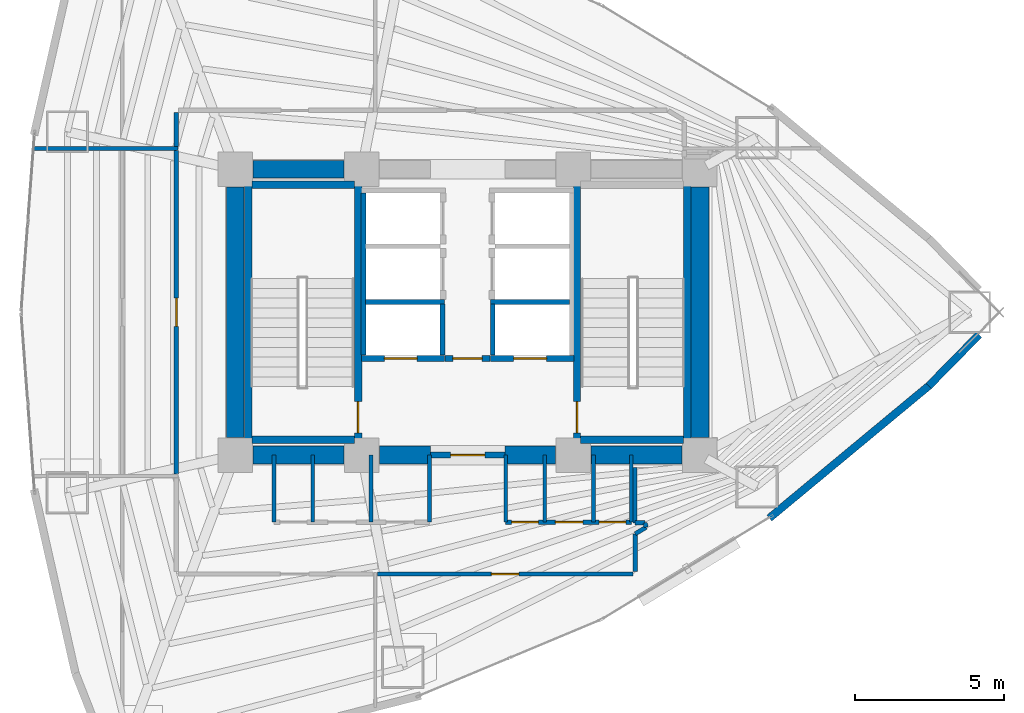
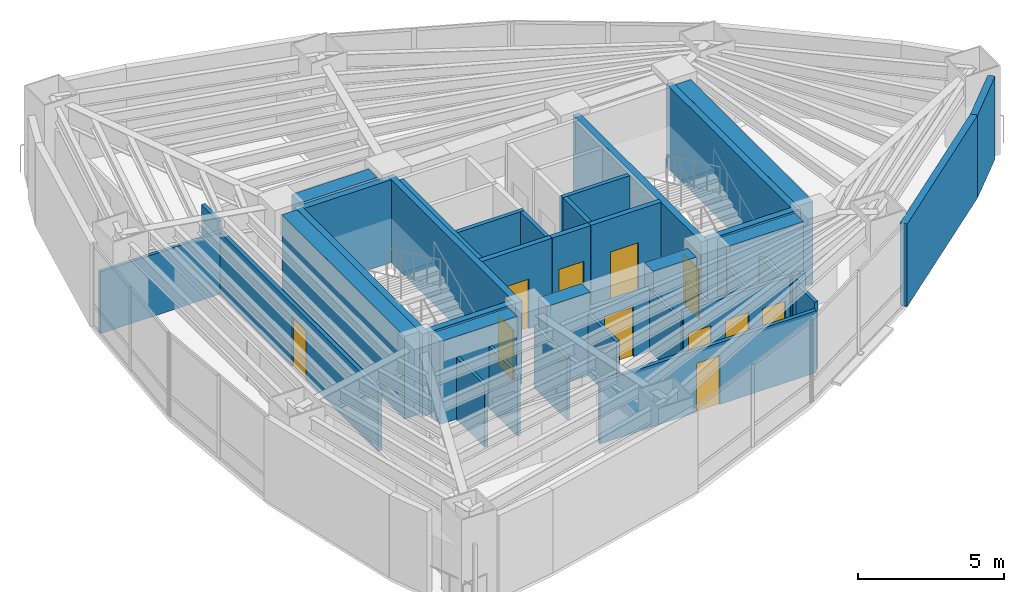
# One storey, part 14 of 17: 43 walls, 11 doors, 11 openings.
"""IFC4 building model written with IfcOpenShell, lengths in metres."""

import ifcopenshell
import ifcopenshell.guid

model = None  # the IFC model being written
_history = None  # IfcOwnerHistory: only IFC2X3 demands one
_inside = {}  # id of a spatial element -> (the spatial element, [elements in it])
_under = {}  # id of a project, library or spatial element -> (it, [spatial elements below it])
_declared = {}  # id of a project -> (the project, [libraries it declares])
_typed = {}  # id of a type object -> (the type object, [elements of that type])
_made_of = {}  # id of a material, layer set ... -> (it, [elements and type objects made of it])


def new_model(schema):
    """Start an empty IFC model of exactly this schema.

    Asked for "IFC4X3", IfcOpenShell would pick the latest addendum, in which some entities
    have other attributes; the version numbers below select the first issue.
    IFC2X3 requires an IfcOwnerHistory on every rooted entity: one is made here for all.
    """
    global model, _history
    if schema == "IFC4X3":
        model = ifcopenshell.file(schema_version=(4, 3, 0, 0))
    else:
        model = ifcopenshell.file(schema=schema)
    _inside.clear()
    _under.clear()
    _declared.clear()
    _typed.clear()
    _made_of.clear()
    _history = None
    if model.schema == "IFC2X3":
        org = make("IfcOrganization", Name="unknown")
        user = make(
            "IfcPersonAndOrganization",
            ThePerson=make("IfcPerson", FamilyName="unknown"),
            TheOrganization=org,
        )
        app = make(
            "IfcApplication",
            ApplicationDeveloper=org,
            Version="unknown",
            ApplicationFullName="unknown",
            ApplicationIdentifier="unknown",
        )
        _history = make(
            "IfcOwnerHistory",
            OwningUser=user,
            OwningApplication=app,
            ChangeAction="ADDED",
            CreationDate=0,
        )
    return model


def make(cls, **values):
    """One entity of the class cls with the attributes given. An attribute that is None is left unset."""
    return model.create_entity(
        cls, **{name: value for name, value in values.items() if value is not None}
    )


def rooted(cls, **values):
    """An entity with a GlobalId (a new one), such as an element, a storey or a relation."""
    return make(cls, GlobalId=ifcopenshell.guid.new(), OwnerHistory=_history, **values)


def si_unit(unit_type, name, prefix=None):
    """IfcSIUnit, for example si_unit("LENGTHUNIT", "METRE", prefix="MILLI")."""
    return make("IfcSIUnit", UnitType=unit_type, Prefix=prefix, Name=name)


def assignment(units):
    """IfcUnitAssignment: the units of a project."""
    return None if units is None else make("IfcUnitAssignment", Units=units)


def point(xyz):
    """IfcCartesianPoint."""
    return None if xyz is None else make("IfcCartesianPoint", Coordinates=xyz)


def direction(xyz):
    """IfcDirection."""
    return None if xyz is None else make("IfcDirection", DirectionRatios=xyz)


def frame(location, z_axis=None, x_axis=None):
    """IfcAxis2Placement3D, a coordinate frame: its origin and axes. An axis left out is left unset."""
    return make(
        "IfcAxis2Placement3D",
        Location=point(location),
        Axis=direction(z_axis),
        RefDirection=direction(x_axis),
    )


def frame_2d(location, x_axis=None):
    """IfcAxis2Placement2D, a coordinate frame in the plane: its origin and x axis."""
    return make(
        "IfcAxis2Placement2D", Location=point(location), RefDirection=direction(x_axis)
    )


def origin():
    """The frame at (0, 0, 0) with its axes left unset."""
    return frame((0.0, 0.0, 0.0))


def place(relative_to, where):
    """IfcLocalPlacement: puts the frame where relative to a parent placement (None: the world)."""
    return make(
        "IfcLocalPlacement", PlacementRelTo=relative_to, RelativePlacement=where
    )


def context(
    kind, dimensions, precision=None, world=None, true_north=None, identifier=None
):
    """IfcGeometricRepresentationContext, for example the 3D "Model" context."""
    return make(
        "IfcGeometricRepresentationContext",
        ContextIdentifier=identifier,
        ContextType=kind,
        CoordinateSpaceDimension=dimensions,
        Precision=precision,
        WorldCoordinateSystem=world,
        TrueNorth=true_north,
    )


def subcontext(parent, identifier, kind, view, scale=None):
    """IfcGeometricRepresentationSubContext, for example "Body" below "Model"."""
    return make(
        "IfcGeometricRepresentationSubContext",
        ContextIdentifier=identifier,
        ContextType=kind,
        ParentContext=parent,
        TargetScale=scale,
        TargetView=view,
    )


def project(units=None, contexts=None):
    """IfcProject with its units and contexts."""
    return rooted(
        "IfcProject",
        Name="project",
        RepresentationContexts=contexts,
        UnitsInContext=assignment(units),
    )


def spatial(cls, under=None, at=None, **own):
    """A site, building, storey or space (cls), placed at a placement, below another one or the project."""
    s = rooted(cls, ObjectPlacement=at, **own)
    if under is not None:
        _under.setdefault(under.id(), (under, []))[1].append(s)
    return s


def profile(cls, at=None, kind="AREA", **sizes):
    """A parametric profile (cls). Its sizes go by their IFC names, for example OverallWidth=200.0."""
    return make(cls, ProfileType=kind, Position=at, **sizes)


def rectangle(**sizes):
    """IfcRectangleProfileDef."""
    return profile("IfcRectangleProfileDef", **sizes)


def extrude(swept, where, along, depth):
    """IfcExtrudedAreaSolid: the profile swept, set in the frame where, extruded along a direction by depth."""
    return make(
        "IfcExtrudedAreaSolid",
        SweptArea=swept,
        Position=where,
        ExtrudedDirection=direction(along),
        Depth=depth,
    )


def shape(context_of_items, identifier, shape_type, items):
    """IfcShapeRepresentation: the items that make up one representation, for example the "Body"."""
    return make(
        "IfcShapeRepresentation",
        ContextOfItems=context_of_items,
        RepresentationIdentifier=identifier,
        RepresentationType=shape_type,
        Items=items,
    )


def material(Name=None, Category=None):
    """IfcMaterial."""
    return make("IfcMaterial", Name=Name, Category=Category)


def layer(
    of_material, thickness, ventilated=None, Name=None, Category=None, Priority=None
):
    """IfcMaterialLayer: one layer of a wall or slab, of a material (None: an air gap)."""
    return make(
        "IfcMaterialLayer",
        Material=of_material,
        LayerThickness=thickness,
        IsVentilated=ventilated,
        Name=Name,
        Category=Category,
        Priority=Priority,
    )


def layer_set(layers, Name=None):
    """IfcMaterialLayerSet."""
    return make("IfcMaterialLayerSet", MaterialLayers=layers, LayerSetName=Name)


def made_of(thing, what):
    """Note that an element or type object is made of a material, layer set ...; save() writes the relation."""
    if what is not None:
        _made_of.setdefault(what.id(), (what, []))[1].append(thing)
    return thing


def type_object(cls, material=None, **own):
    """A type object (cls), such as IfcWallType, which elements share."""
    return made_of(rooted(cls, **own), material)


def element(
    cls,
    number,
    at=None,
    inside=None,
    cuts=None,
    type_object=None,
    material=None,
    context=None,
    identifier="Body",
    shape_type=None,
    held_by="IfcProductDefinitionShape",
    body=None,
    shapes=None,
    **own,
):
    """One element of the class cls, such as IfcWall. Its Tag is "e" and its number.

    at: its placement. inside: the storey or other place that contains it. cuts: it is an
    opening in that element (IfcRelVoidsElement). A single representation is given by context,
    identifier, shape_type and body (its items); several are given by shapes. held_by: the class
    of the entity that holds the representations. save() writes the other relations.
    """
    e = rooted(cls, Tag="e%d" % number, ObjectPlacement=at, **own)
    if body is not None:
        shapes = [shape(context, identifier, shape_type, body)]
    if shapes is not None:
        e.Representation = make(held_by, Representations=shapes)
    if inside is not None:
        _inside.setdefault(inside.id(), (inside, []))[1].append(e)
    if cuts is not None:
        rooted(
            "IfcRelVoidsElement", RelatingBuildingElement=cuts, RelatedOpeningElement=e
        )
    if type_object is not None:
        _typed.setdefault(type_object.id(), (type_object, []))[1].append(e)
    return made_of(e, material)


def fill(opening, filler):
    """IfcRelFillsElement: the door or window that sits in an opening."""
    return rooted(
        "IfcRelFillsElement",
        RelatingOpeningElement=opening,
        RelatedBuildingElement=filler,
    )


def aggregate(whole, parts):
    """IfcRelAggregates: a whole, such as a stair, and the parts it consists of."""
    return rooted("IfcRelAggregates", RelatingObject=whole, RelatedObjects=parts)


def save(model, path):
    """Write the relations noted so far, then the file.

    IfcRelAggregates (storeys below a building ...), IfcRelContainedInSpatialStructure (elements
    in a storey), IfcRelDefinesByType, IfcRelAssociatesMaterial and IfcRelDeclares: one each for
    every whole, place, type object, material and project.
    """
    for whole, parts in _under.values():
        aggregate(whole, parts)
    for where, things in _inside.values():
        rooted(
            "IfcRelContainedInSpatialStructure",
            RelatedElements=things,
            RelatingStructure=where,
        )
    for kind, things in _typed.values():
        rooted("IfcRelDefinesByType", RelatedObjects=things, RelatingType=kind)
    for what, things in _made_of.values():
        rooted("IfcRelAssociatesMaterial", RelatedObjects=things, RelatingMaterial=what)
    for by, libraries in _declared.values():
        rooted("IfcRelDeclares", RelatingContext=by, RelatedDefinitions=libraries)
    model.write(path)


model = new_model("IFC4")

# Units and contexts
model_context = context("Model", 3, precision=1e-05, world=origin(), true_north=direction((0.0, 1.0)))
body_context = subcontext(model_context, "Body", "Model", "MODEL_VIEW")
ifc_project = project(units=[si_unit("LENGTHUNIT", "METRE"), si_unit("AREAUNIT", "SQUARE_METRE"), si_unit("VOLUMEUNIT", "CUBIC_METRE"), si_unit("PLANEANGLEUNIT", "RADIAN"), si_unit("MASSUNIT", "GRAM", prefix="KILO")], contexts=[model_context])

# Site, building, storey
site_placement = place(None, origin())
site = spatial("IfcSite", under=ifc_project, at=site_placement, CompositionType="ELEMENT")
building_placement = place(site_placement, origin())
building = spatial("IfcBuilding", under=site, at=building_placement, Name="Menara Vayukalpa", CompositionType="ELEMENT")
storey_placement = place(building_placement, frame((0.0, 0.0, 38.760009765625)))
storey = spatial("IfcBuildingStorey", under=building, at=storey_placement, Name="L08", CompositionType="ELEMENT", Elevation=38.760009765625)

# Walls
ifc_material_1 = material(Name="Concrete C70/85", Category="concrete")
ifc_layer_1 = layer(ifc_material_1, 0.60009765625)
ifc_layer_set_1 = layer_set([ifc_layer_1], Name="Concrete C70/85")
wall_type_1 = type_object("IfcWallType", Name="WAL-CW600", PredefinedType="SHEAR", material=ifc_layer_set_1)
wall_1_placement = place(storey_placement, frame((18.39501953125, 17.199951171875, 0.0), z_axis=(0.0, 0.0, 1.0), x_axis=(1.0, 0.0, 0.0)))
element("IfcWall", 1, at=wall_1_placement, inside=storey, type_object=wall_type_1, Name="L08 Buttressed Core Shear Wall CWS1", PredefinedType="SHEAR", context=body_context, shape_type="SweptSolid", body=[
    extrude(rectangle(XDim=3.06005859375, YDim=0.60009765625, at=frame_2d((1.530029296875, 0.0))), origin(), (0.0, 0.0, 1.0), 3.469970703125),
])
wall_2_placement = place(storey_placement, frame((22.64501953125, 17.199951171875, 0.0), z_axis=(0.0, 0.0, 1.0), x_axis=(1.0, 0.0, 0.0)))
element("IfcWall", 2, at=wall_2_placement, inside=storey, type_object=wall_type_1, Name="L08 Buttressed Core Shear Wall CWS2", PredefinedType="SHEAR", context=body_context, shape_type="SweptSolid", body=[
    extrude(rectangle(XDim=1.705078125, YDim=0.60009765625, at=frame_2d((0.8525390625, 0.0))), origin(), (0.0, 0.0, 1.0), 3.469970703125),
])
wall_3_placement = place(storey_placement, frame((26.85009765625, 17.199951171875, 0.0), z_axis=(0.0, 0.0, 1.0), x_axis=(1.0, 0.0, 0.0)))
element("IfcWall", 3, at=wall_3_placement, inside=storey, type_object=wall_type_1, Name="L08 Buttressed Core Shear Wall CWS3", PredefinedType="SHEAR", context=body_context, shape_type="SweptSolid", body=[
    extrude(rectangle(XDim=1.704833984375, YDim=0.60009765625, at=frame_2d((0.8525390625, 0.0))), origin(), (0.0, 0.0, 1.0), 3.469970703125),
])
wall_4_placement = place(storey_placement, frame((29.7451171875, 17.199951171875, 0.0), z_axis=(0.0, 0.0, 1.0), x_axis=(1.0, 0.0, 0.0)))
element("IfcWall", 4, at=wall_4_placement, inside=storey, type_object=wall_type_1, Name="L08 Buttressed Core Shear Wall CWS4", PredefinedType="SHEAR", context=body_context, shape_type="SweptSolid", body=[
    extrude(rectangle(XDim=3.059814453125, YDim=0.60009765625, at=frame_2d((1.52978515625, 0.0))), origin(), (0.0, 0.0, 1.0), 3.469970703125),
])
wall_5_placement = place(storey_placement, frame((18.39501953125, 26.800048828125, 0.0), z_axis=(0.0, 0.0, 1.0), x_axis=(1.0, 0.0, 0.0)))
element("IfcWall", 5, at=wall_5_placement, inside=storey, type_object=wall_type_1, Name="L08 Buttressed Core Shear Wall CWN1", PredefinedType="SHEAR", context=body_context, shape_type="SweptSolid", body=[
    extrude(rectangle(XDim=3.06005859375, YDim=0.60009765625, at=frame_2d((1.530029296875, 0.0))), origin(), (0.0, 0.0, 1.0), 3.469970703125),
])
for number, where, z_axis, x_axis, name in (
    (6, (17.800048828125, 17.794921875, 0.0), (0.0, 0.0, 1.0), (0.0, 1.0, 0.0), "L08 Buttressed Core Shear Wall CWW1"),
    (7, (33.39990234375, 17.794921875, 0.0), (0.0, 0.0, 1.0), (0.0, 1.0, 0.0), "L08 Buttressed Core Shear Wall CWE1"),
):
    element("IfcWall", number, at=place(storey_placement, frame(where, z_axis=z_axis, x_axis=x_axis)), inside=storey, type_object=wall_type_1, Name=name, PredefinedType="SHEAR", context=body_context, shape_type="SweptSolid", body=[
        extrude(rectangle(XDim=8.41015625, YDim=0.60009765625, at=frame_2d((4.205078125, 0.0))), origin(), (0.0, 0.0, 1.0), 3.469970703125),
    ])
ifc_material_2 = material(Name="Insulated Precast Concrete C40/50", Category="concrete")
ifc_layer_2 = layer(ifc_material_2, 0.260009765625)
ifc_layer_set_2 = layer_set([ifc_layer_2], Name="Insulated Precast Concrete C40/50")
wall_type_2 = type_object("IfcWallType", Name="WAL-EXT260", PredefinedType="PARTITIONING", material=ifc_layer_set_2)
wall_6_placement = place(storey_placement, frame((42.770263671875, 21.24169921875, 0.0), z_axis=(0.0, 0.0, 1.0), x_axis=(-0.70059851419, -0.713555689427, 0.0)))
element("IfcWall", 8, at=wall_6_placement, inside=storey, type_object=wall_type_2, Name="L08 Perimeter Terracotta Pier Wall 01", PredefinedType="PARTITIONING", context=body_context, shape_type="SweptSolid", body=[
    extrude(rectangle(XDim=2.411865234375, YDim=0.260009765625, at=frame_2d((1.2060546875, 0.0))), origin(), (0.0, 0.0, 1.0), 3.469970703125),
])
wall_7_placement = place(storey_placement, frame((41.08935546875, 19.52880859375, 0.0), z_axis=(0.0, 0.0, 1.0), x_axis=(-0.769754596928, -0.638339925517, 0.0)))
element("IfcWall", 9, at=wall_7_placement, inside=storey, type_object=wall_type_2, Name="L08 Perimeter Terracotta Pier Wall 18", PredefinedType="PARTITIONING", context=body_context, shape_type="SweptSolid", body=[
    extrude(rectangle(XDim=6.959228515625, YDim=0.260009765625, at=frame_2d((3.4794921875, 0.0))), origin(), (0.0, 0.0, 1.0), 3.469970703125),
])
ifc_material_3 = material(Name="Lightweight Concrete Blockwork C16/20", Category="masonry")
ifc_layer_3 = layer(ifc_material_3, 0.159912109375)
ifc_layer_set_3 = layer_set([ifc_layer_3], Name="Lightweight Concrete Blockwork C16/20")
wall_type_3 = type_object("IfcWallType", Name="WAL-FR150", PredefinedType="PARTITIONING", material=ifc_layer_set_3)
wall_8_placement = place(storey_placement, frame((22.10498046875, 20.56005859375, 0.0), z_axis=(0.0, 0.0, 1.0), x_axis=(0.0, 1.0, 0.0)))
element("IfcWall", 10, at=wall_8_placement, inside=storey, type_object=wall_type_3, Name="L08 Interior Partition IW-L08-SHW-WW", PredefinedType="PARTITIONING", context=body_context, shape_type="SweptSolid", body=[
    extrude(rectangle(XDim=5.449951171875, YDim=0.159912109375, at=frame_2d((2.72509765625, 0.0))), origin(), (0.0, 0.0, 1.0), 3.469970703125),
])
wall_9_placement = place(storey_placement, frame((24.7548828125, 20.56005859375, 0.0), z_axis=(0.0, 0.0, 1.0), x_axis=(0.0, 1.0, 0.0)))
element("IfcWall", 11, at=wall_9_placement, inside=storey, type_object=wall_type_3, Name="L08 Interior Partition IW-L08-SHW-W1E", PredefinedType="PARTITIONING", context=body_context, shape_type="SweptSolid", body=[
    extrude(rectangle(XDim=1.7099609375, YDim=0.159912109375, at=frame_2d((0.85498046875, 0.0))), origin(), (0.0, 0.0, 1.0), 3.469970703125),
])
wall_10_placement = place(storey_placement, frame((22.179931640625, 22.344970703125, 0.0), z_axis=(0.0, 0.0, 1.0), x_axis=(1.0, 0.0, 0.0)))
element("IfcWall", 12, at=wall_10_placement, inside=storey, type_object=wall_type_3, Name="L08 Interior Partition IW-L08-SHM-W12", PredefinedType="PARTITIONING", context=body_context, shape_type="SweptSolid", body=[
    extrude(rectangle(XDim=2.650146484375, YDim=0.159912109375, at=frame_2d((1.3251953125, 0.0))), origin(), (0.0, 0.0, 1.0), 3.469970703125),
])
wall_11_placement = place(storey_placement, frame((26.445068359375, 20.56005859375, 0.0), z_axis=(0.0, 0.0, 1.0), x_axis=(0.0, 1.0, 0.0)))
element("IfcWall", 13, at=wall_11_placement, inside=storey, type_object=wall_type_3, Name="L08 Interior Partition IW-L08-SHW-E1W", PredefinedType="PARTITIONING", context=body_context, shape_type="SweptSolid", body=[
    extrude(rectangle(XDim=1.7099609375, YDim=0.159912109375, at=frame_2d((0.85498046875, 0.0))), origin(), (0.0, 0.0, 1.0), 3.469970703125),
])
wall_12_placement = place(storey_placement, frame((26.3701171875, 22.344970703125, 0.0), z_axis=(0.0, 0.0, 1.0), x_axis=(1.0, 0.0, 0.0)))
element("IfcWall", 14, at=wall_12_placement, inside=storey, type_object=wall_type_3, Name="L08 Interior Partition IW-L08-SHM-E13", PredefinedType="PARTITIONING", context=body_context, shape_type="SweptSolid", body=[
    extrude(rectangle(XDim=2.64990234375, YDim=0.159912109375, at=frame_2d((1.324951171875, 0.0))), origin(), (0.0, 0.0, 1.0), 3.469970703125),
])

# Wall, opening, door
ifc_material_4 = material(Name="Lightweight Concrete Blockwork C16/20", Category="masonry")
ifc_layer_4 = layer(ifc_material_4, 0.199951171875)
ifc_layer_set_4 = layer_set([ifc_layer_4], Name="Lightweight Concrete Blockwork C16/20")
wall_type_4 = type_object("IfcWallType", Name="WAL-FR200", PredefinedType="PARTITIONING", material=ifc_layer_set_4)
wall_13_placement = place(storey_placement, frame((24.35009765625, 17.199951171875, 0.0), z_axis=(0.0, 0.0, 1.0), x_axis=(1.0, 0.0, 0.0)))
wall_13 = element("IfcWall", 15, at=wall_13_placement, inside=storey, type_object=wall_type_4, Name="L08 Interior Partition IW-L08-FFLS", PredefinedType="PARTITIONING", context=body_context, shape_type="SweptSolid", body=[
    extrude(rectangle(XDim=2.5, YDim=0.199951171875, at=frame_2d((1.25, 0.0))), origin(), (0.0, 0.0, 1.0), 2.60009765625),
])
opening_1_placement = place(wall_13_placement, frame((0.679931640625, 0.0, 0.0)))
opening_1 = element("IfcOpeningElement", 16, at=opening_1_placement, cuts=wall_13, Name="Opening ID2", PredefinedType="OPENING", context=body_context, shape_type="SweptSolid", body=[
    extrude(rectangle(XDim=1.14990234375, YDim=2.080078125, at=frame_2d((0.574951171875, 1.0400390625))), frame((0.0, 0.10986328125, 0.0), z_axis=(0.0, -1.0, 0.0), x_axis=(1.0, 0.0, 0.0)), (0.0, 0.0, 1.0), 0.219970703125),
])
ifc_material_5 = material(Name="Fire-Rated Powder-Coated Steel Door", Category="steel")
door_type_1 = type_object("IfcDoorType", Name="DR-FD60W", OperationType="NOTDEFINED", PredefinedType="DOOR", material=ifc_material_5)
door_1_placement = place(opening_1_placement, origin())
door_1 = element("IfcDoor", 17, at=door_1_placement, inside=storey, type_object=door_type_1, Name="L08 Interior Door DR-L08-FFLS", OperationType="SINGLE_SWING_LEFT", OverallHeight=2.080078125, OverallWidth=1.14990234375, PredefinedType="DOOR", context=body_context, shape_type="SweptSolid", body=[
    extrude(rectangle(XDim=1.14990234375, YDim=2.080078125, at=frame_2d((0.574951171875, 1.0400390625))), frame((0.0, 0.02490234375, 0.0), z_axis=(0.0, -1.0, 0.0), x_axis=(1.0, 0.0, 0.0)), (0.0, 0.0, 1.0), 0.050048828125),
])
fill(opening_1, door_1)

wall_14_placement = place(storey_placement, frame((24.840087890625, 20.449951171875, 0.0), z_axis=(0.0, 0.0, 1.0), x_axis=(1.0, 0.0, 0.0)))
wall_14 = element("IfcWall", 18, at=wall_14_placement, inside=storey, type_object=wall_type_4, Name="L08 Interior Partition IW-L08-FFLN", PredefinedType="PARTITIONING", context=body_context, shape_type="SweptSolid", body=[
    extrude(rectangle(XDim=1.52001953125, YDim=0.199951171875, at=frame_2d((0.760009765625, 0.0))), origin(), (0.0, 0.0, 1.0), 3.469970703125),
])
opening_2_placement = place(wall_14_placement, frame((0.27001953125, 0.0, 0.0)))
opening_2 = element("IfcOpeningElement", 19, at=opening_2_placement, cuts=wall_14, Name="Opening ID3", PredefinedType="OPENING", context=body_context, shape_type="SweptSolid", body=[
    extrude(rectangle(XDim=0.97998046875, YDim=2.06005859375, at=frame_2d((0.489990234375, 1.030029296875))), frame((0.0, 0.10986328125, 0.0), z_axis=(0.0, -1.0, 0.0), x_axis=(1.0, 0.0, 0.0)), (0.0, 0.0, 1.0), 0.219970703125),
])
ifc_material_6 = material(Name="Fire-Rated Powder-Coated Steel Door", Category="steel")
door_type_2 = type_object("IfcDoorType", Name="DR-FD60", OperationType="NOTDEFINED", PredefinedType="DOOR", material=ifc_material_6)
door_2_placement = place(opening_2_placement, origin())
door_2 = element("IfcDoor", 20, at=door_2_placement, inside=storey, type_object=door_type_2, Name="L08 Interior Door DR-L08-FFLN", OperationType="SINGLE_SWING_RIGHT", OverallHeight=2.06005859375, OverallWidth=0.97998046875, PredefinedType="DOOR", context=body_context, shape_type="SweptSolid", body=[
    extrude(rectangle(XDim=0.97998046875, YDim=2.06005859375, at=frame_2d((0.489990234375, 1.030029296875))), frame((0.0, 0.02490234375, 0.0), z_axis=(0.0, -1.0, 0.0), x_axis=(1.0, 0.0, 0.0)), (0.0, 0.0, 1.0), 0.050048828125),
])
fill(opening_2, door_2)

wall_15_placement = place(storey_placement, frame((22.030029296875, 20.449951171875, 0.0), z_axis=(0.0, 0.0, 1.0), x_axis=(1.0, 0.0, 0.0)))
wall_15 = element("IfcWall", 21, at=wall_15_placement, inside=storey, type_object=wall_type_4, Name="L08 Interior Partition IW-L08-SH-W1", PredefinedType="PARTITIONING", context=body_context, shape_type="SweptSolid", body=[
    extrude(rectangle(XDim=2.800048828125, YDim=0.199951171875, at=frame_2d((1.39990234375, 0.0))), origin(), (0.0, 0.0, 1.0), 3.469970703125),
])
opening_3_placement = place(wall_15_placement, frame((0.780029296875, 0.0, 0.0)))
opening_3 = element("IfcOpeningElement", 22, at=opening_3_placement, cuts=wall_15, Name="Opening LD1", PredefinedType="OPENING", context=body_context, shape_type="SweptSolid", body=[
    extrude(rectangle(XDim=1.10009765625, YDim=2.080078125, at=frame_2d((0.550048828125, 1.0400390625))), frame((0.0, 0.10986328125, 0.0), z_axis=(0.0, -1.0, 0.0), x_axis=(1.0, 0.0, 0.0)), (0.0, 0.0, 1.0), 0.219970703125),
])
ifc_material_7 = material(Name="Brushed Stainless Steel 316 Lift Door", Category="steel")
door_type_3 = type_object("IfcDoorType", Name="DR-LD110", OperationType="NOTDEFINED", PredefinedType="DOOR", material=ifc_material_7)
door_3_placement = place(opening_3_placement, origin())
door_3 = element("IfcDoor", 23, at=door_3_placement, inside=storey, type_object=door_type_3, Name="L08 Interior Door DR-L08-LD-W1", OperationType="DOUBLE_DOOR_SLIDING", OverallHeight=2.080078125, OverallWidth=1.10009765625, PredefinedType="DOOR", context=body_context, shape_type="SweptSolid", body=[
    extrude(rectangle(XDim=1.10009765625, YDim=2.080078125, at=frame_2d((0.550048828125, 1.0400390625))), frame((0.0, 0.02490234375, 0.0), z_axis=(0.0, -1.0, 0.0), x_axis=(1.0, 0.0, 0.0)), (0.0, 0.0, 1.0), 0.050048828125),
])
fill(opening_3, door_3)

wall_16_placement = place(storey_placement, frame((26.3701171875, 20.449951171875, 0.0), z_axis=(0.0, 0.0, 1.0), x_axis=(1.0, 0.0, 0.0)))
wall_16 = element("IfcWall", 24, at=wall_16_placement, inside=storey, type_object=wall_type_4, Name="L08 Interior Partition IW-L08-SH-E1", PredefinedType="PARTITIONING", context=body_context, shape_type="SweptSolid", body=[
    extrude(rectangle(XDim=2.7998046875, YDim=0.199951171875, at=frame_2d((1.39990234375, 0.0))), origin(), (0.0, 0.0, 1.0), 3.469970703125),
])
opening_4_placement = place(wall_16_placement, frame((0.780029296875, 0.0, 0.0)))
opening_4 = element("IfcOpeningElement", 25, at=opening_4_placement, cuts=wall_16, Name="Opening LD1", PredefinedType="OPENING", context=body_context, shape_type="SweptSolid", body=[
    extrude(rectangle(XDim=1.10009765625, YDim=2.080078125, at=frame_2d((0.550048828125, 1.0400390625))), frame((0.0, 0.10986328125, 0.0), z_axis=(0.0, -1.0, 0.0), x_axis=(1.0, 0.0, 0.0)), (0.0, 0.0, 1.0), 0.219970703125),
])
door_4_placement = place(opening_4_placement, origin())
door_4 = element("IfcDoor", 26, at=door_4_placement, inside=storey, type_object=door_type_3, Name="L08 Interior Door DR-L08-LD-E1", OperationType="DOUBLE_DOOR_SLIDING", OverallHeight=2.080078125, OverallWidth=1.10009765625, PredefinedType="DOOR", context=body_context, shape_type="SweptSolid", body=[
    extrude(rectangle(XDim=1.10009765625, YDim=2.080078125, at=frame_2d((0.550048828125, 1.0400390625))), frame((0.0, 0.02490234375, 0.0), z_axis=(0.0, -1.0, 0.0), x_axis=(1.0, 0.0, 0.0)), (0.0, 0.0, 1.0), 0.050048828125),
])
fill(opening_4, door_4)

# Walls
ifc_material_8 = material(Name="Acoustic Mineral Stud Partition", Category="masonry")
ifc_layer_5 = layer(ifc_material_8, 0.110107421875)
ifc_layer_set_5 = layer_set([ifc_layer_5], Name="Acoustic Mineral Stud Partition")
wall_type_5 = type_object("IfcWallType", Name="WAL-PT110", PredefinedType="PARTITIONING", material=ifc_layer_set_5)
for number, where, z_axis, x_axis, name in (
    (27, (20.39990234375, 14.949951171875, 0.0), (0.0, 0.0, 1.0), (0.0, 1.0, 0.0), "L08 Interior Partition IW-L08-SVCD-02"),
    (28, (26.8798828125, 14.949951171875, 0.0), (0.0, 0.0, 1.0), (0.0, 1.0, 0.0), "L08 Interior Partition IW-L08-SVCD-05"),
    (29, (31.10009765625, 14.949951171875, 0.0), (0.0, 0.0, 1.0), (0.0, 1.0, 0.0), "L08 Interior Partition IW-L08-SVCD-08"),
):
    element("IfcWall", number, at=place(storey_placement, frame(where, z_axis=z_axis, x_axis=x_axis)), inside=storey, type_object=wall_type_5, Name=name, PredefinedType="PARTITIONING", context=body_context, shape_type="SweptSolid", body=[
        extrude(rectangle(XDim=2.25, YDim=0.110107421875, at=frame_2d((1.125, 0.0))), origin(), (0.0, 0.0, 1.0), 2.60009765625),
    ])
ifc_material_9 = material(Name="Gypsum Drywall Steel Stud Assembly", Category="steel")
ifc_layer_6 = layer(ifc_material_9, 0.125)
ifc_layer_set_6 = layer_set([ifc_layer_6], Name="Gypsum Drywall Steel Stud Assembly")
wall_type_6 = type_object("IfcWallType", Name="WAL-PT125", PredefinedType="PARTITIONING", material=ifc_layer_set_6)
for number, where, z_axis, x_axis, name in (
    (30, (19.10009765625, 14.949951171875, 0.0), (0.0, 0.0, 1.0), (0.0, 1.0, 0.0), "L08 Interior Partition IW-L08-SVCD-01"),
    (31, (22.360107421875, 14.949951171875, 0.0), (0.0, 0.0, 1.0), (0.0, 1.0, 0.0), "L08 Interior Partition IW-L08-SVCD-03"),
    (32, (24.320068359375, 14.949951171875, 0.0), (0.0, 0.0, 1.0), (0.0, 1.0, 0.0), "L08 Interior Partition IW-L08-SVCD-04"),
    (33, (28.18994140625, 14.949951171875, 0.0), (0.0, 0.0, 1.0), (0.0, 1.0, 0.0), "L08 Interior Partition IW-L08-SVCD-06"),
    (34, (29.830078125, 14.949951171875, 0.0), (0.0, 0.0, 1.0), (0.0, 1.0, 0.0), "L08 Interior Partition IW-L08-SVCD-07"),
):
    element("IfcWall", number, at=place(storey_placement, frame(where, z_axis=z_axis, x_axis=x_axis)), inside=storey, type_object=wall_type_6, Name=name, PredefinedType="PARTITIONING", context=body_context, shape_type="SweptSolid", body=[
        extrude(rectangle(XDim=2.25, YDim=0.125, at=frame_2d((1.125, 0.0))), origin(), (0.0, 0.0, 1.0), 2.60009765625),
    ])
wall_17_placement = place(storey_placement, frame((11.01220703125, 27.5, 0.0), z_axis=(0.0, 0.0, 1.0), x_axis=(1.0, 0.0, 0.0)))
element("IfcWall", 35, at=wall_17_placement, inside=storey, type_object=wall_type_6, Name="L08 Interior Partition IW-L08-RDIV05", PredefinedType="PARTITIONING", context=body_context, shape_type="SweptSolid", body=[
    extrude(rectangle(XDim=4.85791015625, YDim=0.125, at=frame_2d((2.428955078125, 0.0))), origin(), (0.0, 0.0, 1.0), 2.60009765625),
])

# Wall, openings, doors
ifc_material_10 = material(Name="Gypsum Drywall Acoustic Stud Assembly", Category="masonry")
ifc_layer_7 = layer(ifc_material_10, 0.14501953125)
ifc_layer_set_7 = layer_set([ifc_layer_7], Name="Gypsum Drywall Acoustic Stud Assembly")
wall_type_7 = type_object("IfcWallType", Name="WAL-PT150", PredefinedType="PARTITIONING", material=ifc_layer_set_7)
wall_18_placement = place(storey_placement, frame((26.8798828125, 14.949951171875, 0.0), z_axis=(0.0, 0.0, 1.0), x_axis=(1.0, 0.0, 0.0)))
wall_18 = element("IfcWall", 36, at=wall_18_placement, inside=storey, type_object=wall_type_7, Name="L08 Interior Partition IW-L08-SVCS-E", PredefinedType="PARTITIONING", context=body_context, shape_type="SweptSolid", body=[
    extrude(rectangle(XDim=4.22021484375, YDim=0.14501953125, at=frame_2d((2.110107421875, 0.0))), origin(), (0.0, 0.0, 1.0), 3.0),
])
opening_5_placement = place(wall_18_placement, frame((0.199951171875, 0.0, 0.0)))
opening_5 = element("IfcOpeningElement", 37, at=opening_5_placement, cuts=wall_18, Name="Opening ID7", PredefinedType="OPENING", context=body_context, shape_type="SweptSolid", body=[
    extrude(rectangle(XDim=0.89990234375, YDim=2.02001953125, at=frame_2d((0.449951171875, 1.010009765625))), frame((0.0, 0.08251953125, 0.0), z_axis=(0.0, -1.0, 0.0), x_axis=(1.0, 0.0, 0.0)), (0.0, 0.0, 1.0), 0.1650390625),
])
opening_6_placement = place(wall_18_placement, frame((1.669921875, 0.0, 0.0)))
opening_6 = element("IfcOpeningElement", 38, at=opening_6_placement, cuts=wall_18, Name="Opening ID6", PredefinedType="OPENING", context=body_context, shape_type="SweptSolid", body=[
    extrude(rectangle(XDim=0.919921875, YDim=2.050048828125, at=frame_2d((0.4599609375, 1.02490234375))), frame((0.0, 0.08251953125, 0.0), z_axis=(0.0, -1.0, 0.0), x_axis=(1.0, 0.0, 0.0)), (0.0, 0.0, 1.0), 0.1650390625),
])
opening_7_placement = place(wall_18_placement, frame((3.139892578125, 0.0, 0.0)))
opening_7 = element("IfcOpeningElement", 39, at=opening_7_placement, cuts=wall_18, Name="Opening ID7", PredefinedType="OPENING", context=body_context, shape_type="SweptSolid", body=[
    extrude(rectangle(XDim=0.89990234375, YDim=2.02001953125, at=frame_2d((0.449951171875, 1.010009765625))), frame((0.0, 0.08251953125, 0.0), z_axis=(0.0, -1.0, 0.0), x_axis=(1.0, 0.0, 0.0)), (0.0, 0.0, 1.0), 0.1650390625),
])
ifc_material_11 = material(Name="Acoustic Hardwood Veneer Timber Door", Category="wood")
door_type_4 = type_object("IfcDoorType", Name="DR-INT92", OperationType="NOTDEFINED", PredefinedType="DOOR", material=ifc_material_11)
door_5_placement = place(opening_6_placement, origin())
door_5 = element("IfcDoor", 40, at=door_5_placement, inside=storey, type_object=door_type_4, Name="L08 Interior Door DR-L08-KSV2", OperationType="SINGLE_SWING_LEFT", OverallHeight=2.050048828125, OverallWidth=0.919921875, PredefinedType="DOOR", context=body_context, shape_type="SweptSolid", body=[
    extrude(rectangle(XDim=0.919921875, YDim=2.050048828125, at=frame_2d((0.4599609375, 1.02490234375))), frame((0.0, 0.02490234375, 0.0), z_axis=(0.0, -1.0, 0.0), x_axis=(1.0, 0.0, 0.0)), (0.0, 0.0, 1.0), 0.050048828125),
])
fill(opening_6, door_5)
ifc_material_12 = material(Name="Powder-Coated Steel Riser Access Door", Category="steel")
door_type_5 = type_object("IfcDoorType", Name="DR-RISER", OperationType="NOTDEFINED", PredefinedType="DOOR", material=ifc_material_12)
door_6_placement = place(opening_5_placement, origin())
door_6 = element("IfcDoor", 41, at=door_6_placement, inside=storey, type_object=door_type_5, Name="L08 Interior Door DR-L08-KSV1", OperationType="SINGLE_SWING_RIGHT", OverallHeight=2.02001953125, OverallWidth=0.89990234375, PredefinedType="DOOR", context=body_context, shape_type="SweptSolid", body=[
    extrude(rectangle(XDim=0.89990234375, YDim=2.02001953125, at=frame_2d((0.449951171875, 1.010009765625))), frame((0.0, 0.02490234375, 0.0), z_axis=(0.0, -1.0, 0.0), x_axis=(1.0, 0.0, 0.0)), (0.0, 0.0, 1.0), 0.050048828125),
])
fill(opening_5, door_6)
door_7_placement = place(opening_7_placement, origin())
door_7 = element("IfcDoor", 42, at=door_7_placement, inside=storey, type_object=door_type_5, Name="L08 Interior Door DR-L08-SMD", OperationType="SINGLE_SWING_RIGHT", OverallHeight=2.02001953125, OverallWidth=0.89990234375, PredefinedType="DOOR", context=body_context, shape_type="SweptSolid", body=[
    extrude(rectangle(XDim=0.89990234375, YDim=2.02001953125, at=frame_2d((0.449951171875, 1.010009765625))), frame((0.0, 0.02490234375, 0.0), z_axis=(0.0, -1.0, 0.0), x_axis=(1.0, 0.0, 0.0)), (0.0, 0.0, 1.0), 0.050048828125),
])
fill(opening_7, door_7)

# Wall, opening, door
wall_19_placement = place(storey_placement, frame((22.570068359375, 13.2099609375, 0.0), z_axis=(0.0, 0.0, 1.0), x_axis=(1.0, 0.0, 0.0)))
wall_19 = element("IfcWall", 43, at=wall_19_placement, inside=storey, type_object=wall_type_7, Name="L08 Interior Partition IW-L08-CRM04-1", PredefinedType="PARTITIONING", context=body_context, shape_type="SweptSolid", body=[
    extrude(rectangle(XDim=8.579833984375, YDim=0.14501953125, at=frame_2d((4.2900390625, 0.0))), origin(), (0.0, 0.0, 1.0), 2.60009765625),
])
opening_8_placement = place(wall_19_placement, frame((3.830078125, 0.0, 0.0)))
opening_8 = element("IfcOpeningElement", 44, at=opening_8_placement, cuts=wall_19, Name="Opening ID6", PredefinedType="OPENING", context=body_context, shape_type="SweptSolid", body=[
    extrude(rectangle(XDim=0.919921875, YDim=2.050048828125, at=frame_2d((0.4599609375, 1.02490234375))), frame((0.0, 0.08251953125, 0.0), z_axis=(0.0, -1.0, 0.0), x_axis=(1.0, 0.0, 0.0)), (0.0, 0.0, 1.0), 0.1650390625),
])
door_8_placement = place(opening_8_placement, origin())
door_8 = element("IfcDoor", 45, at=door_8_placement, inside=storey, type_object=door_type_4, Name="L08 Interior Door DR-L08-RM04", OperationType="SINGLE_SWING_RIGHT", OverallHeight=2.050048828125, OverallWidth=0.919921875, PredefinedType="DOOR", context=body_context, shape_type="SweptSolid", body=[
    extrude(rectangle(XDim=0.919921875, YDim=2.050048828125, at=frame_2d((0.4599609375, 1.02490234375))), frame((0.0, 0.02490234375, 0.0), z_axis=(0.0, -1.0, 0.0), x_axis=(1.0, 0.0, 0.0)), (0.0, 0.0, 1.0), 0.050048828125),
])
fill(opening_8, door_8)

# Walls
wall_20_placement = place(storey_placement, frame((31.22998046875, 13.2900390625, 0.0), z_axis=(0.0, 0.0, 1.0), x_axis=(0.0, 1.0, 0.0)))
element("IfcWall", 46, at=wall_20_placement, inside=storey, type_object=wall_type_7, Name="L08 Interior Partition IW-L08-CRM04-2", PredefinedType="PARTITIONING", context=body_context, shape_type="SweptSolid", body=[
    extrude(rectangle(XDim=1.26806640625, YDim=0.14501953125, at=frame_2d((0.634033203125, 0.0))), origin(), (0.0, 0.0, 1.0), 2.85009765625),
])
wall_21_placement = place(storey_placement, frame((31.22998046875, 14.55810546875, 0.0), z_axis=(0.0, 0.0, 1.0), x_axis=(0.854931196424, 0.518741408971, 0.0)))
element("IfcWall", 47, at=wall_21_placement, inside=storey, type_object=wall_type_7, Name="L08 Interior Partition IW-L08-CRM04-3", PredefinedType="PARTITIONING", context=body_context, shape_type="SweptSolid", body=[
    extrude(rectangle(XDim=0.4306640625, YDim=0.14501953125, at=frame_2d((0.21533203125, 0.0))), origin(), (0.0, 0.0, 1.0), 3.0),
])
wall_22_placement = place(storey_placement, frame((31.556640625, 14.929931640625, 0.0), z_axis=(0.0, 0.0, 1.0), x_axis=(-1.0, 0.0, 0.0)))
element("IfcWall", 48, at=wall_22_placement, inside=storey, type_object=wall_type_7, Name="L08 Interior Partition IW-L08-CRM04-4", PredefinedType="PARTITIONING", context=body_context, shape_type="SweptSolid", body=[
    extrude(rectangle(XDim=0.336669921875, YDim=0.14501953125, at=frame_2d((0.16845703125, 0.0))), origin(), (0.0, 0.0, 1.0), 3.0),
])
wall_23_placement = place(storey_placement, frame((31.219970703125, 14.929931640625, 0.0), z_axis=(0.0, 0.0, 1.0), x_axis=(0.0, 1.0, 0.0)))
element("IfcWall", 49, at=wall_23_placement, inside=storey, type_object=wall_type_7, Name="L08 Interior Partition IW-L08-CRM04-5", PredefinedType="PARTITIONING", context=body_context, shape_type="SweptSolid", body=[
    extrude(rectangle(XDim=1.85009765625, YDim=0.14501953125, at=frame_2d((0.925048828125, 0.0))), origin(), (0.0, 0.0, 1.0), 2.60009765625),
])
wall_24_placement = place(storey_placement, frame((15.820068359375, 28.699951171875, 0.0), z_axis=(0.0, 0.0, 1.0), x_axis=(0.0, -1.0, 0.0)))
element("IfcWall", 50, at=wall_24_placement, inside=storey, type_object=wall_type_7, Name="L08 Interior Partition IW-L08-CRM06-2", PredefinedType="PARTITIONING", context=body_context, shape_type="SweptSolid", body=[
    extrude(rectangle(XDim=1.1298828125, YDim=0.14501953125, at=frame_2d((0.56494140625, 0.0))), origin(), (0.0, 0.0, 1.0), 3.0),
])

# Wall, opening, door
wall_25_placement = place(storey_placement, frame((15.820068359375, 27.429931640625, 0.0), z_axis=(0.0, 0.0, 1.0), x_axis=(0.0, -1.0, 0.0)))
wall_25 = element("IfcWall", 51, at=wall_25_placement, inside=storey, type_object=wall_type_7, Name="L08 Interior Partition IW-L08-CRM09-1", PredefinedType="PARTITIONING", context=body_context, shape_type="SweptSolid", body=[
    extrude(rectangle(XDim=10.85986328125, YDim=0.14501953125, at=frame_2d((5.429931640625, 0.0))), origin(), (0.0, 0.0, 1.0), 2.60009765625),
])
opening_9_placement = place(wall_25_placement, frame((4.955078125, 0.0, 0.0)))
opening_9 = element("IfcOpeningElement", 52, at=opening_9_placement, cuts=wall_25, Name="Opening ID5", PredefinedType="OPENING", context=body_context, shape_type="SweptSolid", body=[
    extrude(rectangle(XDim=0.949951171875, YDim=2.06005859375, at=frame_2d((0.47509765625, 1.030029296875))), frame((0.0, 0.08251953125, 0.0), z_axis=(0.0, -1.0, 0.0), x_axis=(1.0, 0.0, 0.0)), (0.0, 0.0, 1.0), 0.1650390625),
])
ifc_material_13 = material(Name="Acoustic Hardwood Veneer Timber Door", Category="wood")
door_type_6 = type_object("IfcDoorType", Name="DR-INT95", OperationType="NOTDEFINED", PredefinedType="DOOR", material=ifc_material_13)
door_9_placement = place(opening_9_placement, origin())
door_9 = element("IfcDoor", 53, at=door_9_placement, inside=storey, type_object=door_type_6, Name="L08 Interior Door DR-L08-RM09", OperationType="SINGLE_SWING_LEFT", OverallHeight=2.06005859375, OverallWidth=0.949951171875, PredefinedType="DOOR", context=body_context, shape_type="SweptSolid", body=[
    extrude(rectangle(XDim=0.949951171875, YDim=2.06005859375, at=frame_2d((0.47509765625, 1.030029296875))), frame((0.0, 0.02490234375, 0.0), z_axis=(0.0, -1.0, 0.0), x_axis=(1.0, 0.0, 0.0)), (0.0, 0.0, 1.0), 0.050048828125),
])
fill(opening_9, door_9)

# Walls
wall_26_placement = place(storey_placement, frame((31.59814453125, 14.781494140625, 0.0), z_axis=(0.0, 0.0, 1.0), x_axis=(-0.269277388617, 0.963062660464, 0.0)))
element("IfcWall", 54, at=wall_26_placement, inside=storey, type_object=wall_type_7, Name="L08 Interior Partition IW-L08-CRM04-3-R1", PredefinedType="PARTITIONING", context=body_context, shape_type="SweptSolid", body=[
    extrude(rectangle(XDim=0.154052734375, YDim=0.14501953125, at=frame_2d((0.0771484375, 0.0))), origin(), (0.0, 0.0, 1.0), 3.0),
])
ifc_material_14 = material(Name="Concrete C50/60", Category="concrete")
ifc_layer_8 = layer(ifc_material_14, 0.25)
ifc_layer_set_8 = layer_set([ifc_layer_8], Name="Concrete C50/60")
wall_type_8 = type_object("IfcWallType", Name="WAL-SW250", PredefinedType="SHEAR", material=ifc_layer_set_8)
wall_27_placement = place(storey_placement, frame((18.22900390625, 17.60009765625, 0.0), z_axis=(0.0, 0.0, 1.0), x_axis=(0.0, 1.0, 0.0)))
element("IfcWall", 55, at=wall_27_placement, inside=storey, type_object=wall_type_8, Name="L08 ST1 Structural Stair Shaft Wall W", PredefinedType="SHEAR", context=body_context, shape_type="SweptSolid", body=[
    extrude(rectangle(XDim=8.7998046875, YDim=0.25, at=frame_2d((4.39990234375, 0.0))), origin(), (0.0, 0.0, 1.0), 3.469970703125),
])

# Wall, opening, door
wall_28_placement = place(storey_placement, frame((21.925048828125, 17.60009765625, 0.0), z_axis=(0.0, 0.0, 1.0), x_axis=(0.0, 1.0, 0.0)))
wall_28 = element("IfcWall", 56, at=wall_28_placement, inside=storey, type_object=wall_type_8, Name="L08 ST1 Structural Stair Shaft Wall E", PredefinedType="SHEAR", context=body_context, shape_type="SweptSolid", body=[
    extrude(rectangle(XDim=8.7998046875, YDim=0.25, at=frame_2d((4.39990234375, 0.0))), origin(), (0.0, 0.0, 1.0), 3.469970703125),
])
opening_10_placement = place(wall_28_placement, frame((0.35009765625, 0.0, 0.0)))
opening_10 = element("IfcOpeningElement", 57, at=opening_10_placement, cuts=wall_28, Name="Opening ID1", PredefinedType="OPENING", context=body_context, shape_type="SweptSolid", body=[
    extrude(rectangle(XDim=1.050048828125, YDim=2.080078125, at=frame_2d((0.52490234375, 1.0400390625))), frame((0.0, 0.135009765625, 0.0), z_axis=(0.0, -1.0, 0.0), x_axis=(1.0, 0.0, 0.0)), (0.0, 0.0, 1.0), 0.27001953125),
])
ifc_material_15 = material(Name="Fire-Rated Powder-Coated Steel Door", Category="steel")
door_type_7 = type_object("IfcDoorType", Name="DR-FD120", OperationType="NOTDEFINED", PredefinedType="DOOR", material=ifc_material_15)
door_10_placement = place(opening_10_placement, origin())
door_10 = element("IfcDoor", 58, at=door_10_placement, inside=storey, type_object=door_type_7, Name="L08 Stair Exit Door DR-L08-ST1", OperationType="SINGLE_SWING_LEFT", OverallHeight=2.080078125, OverallWidth=1.050048828125, PredefinedType="DOOR", context=body_context, shape_type="SweptSolid", body=[
    extrude(rectangle(XDim=1.050048828125, YDim=2.080078125, at=frame_2d((0.52490234375, 1.0400390625))), frame((0.0, 0.02490234375, 0.0), z_axis=(0.0, -1.0, 0.0), x_axis=(1.0, 0.0, 0.0)), (0.0, 0.0, 1.0), 0.050048828125),
])
fill(opening_10, door_10)

# Walls
for number, where, z_axis, x_axis, name in (
    (59, (18.35400390625, 17.72509765625, 0.0), (0.0, 0.0, 1.0), (1.0, 0.0, 0.0), "L08 ST1 Structural Stair Shaft Wall S"),
    (60, (18.35400390625, 26.27490234375, 0.0), (0.0, 0.0, 1.0), (1.0, 0.0, 0.0), "L08 ST1 Structural Stair Shaft Wall N"),
):
    element("IfcWall", number, at=place(storey_placement, frame(where, z_axis=z_axis, x_axis=x_axis)), inside=storey, type_object=wall_type_8, Name=name, PredefinedType="SHEAR", context=body_context, shape_type="SweptSolid", body=[
        extrude(rectangle(XDim=3.446044921875, YDim=0.25, at=frame_2d((1.72314453125, 0.0))), origin(), (0.0, 0.0, 1.0), 3.469970703125),
    ])

# Wall, opening, door
wall_29_placement = place(storey_placement, frame((29.27490234375, 17.60009765625, 0.0), z_axis=(0.0, 0.0, 1.0), x_axis=(0.0, 1.0, 0.0)))
wall_29 = element("IfcWall", 61, at=wall_29_placement, inside=storey, type_object=wall_type_8, Name="L08 ST2 Structural Stair Shaft Wall W", PredefinedType="SHEAR", context=body_context, shape_type="SweptSolid", body=[
    extrude(rectangle(XDim=8.7998046875, YDim=0.25, at=frame_2d((4.39990234375, 0.0))), origin(), (0.0, 0.0, 1.0), 3.469970703125),
])
opening_11_placement = place(wall_29_placement, frame((0.35009765625, 0.0, 0.0)))
opening_11 = element("IfcOpeningElement", 62, at=opening_11_placement, cuts=wall_29, Name="Opening ID1", PredefinedType="OPENING", context=body_context, shape_type="SweptSolid", body=[
    extrude(rectangle(XDim=1.050048828125, YDim=2.080078125, at=frame_2d((0.52490234375, 1.0400390625))), frame((0.0, 0.135009765625, 0.0), z_axis=(0.0, -1.0, 0.0), x_axis=(1.0, 0.0, 0.0)), (0.0, 0.0, 1.0), 0.27001953125),
])
door_11_placement = place(opening_11_placement, origin())
door_11 = element("IfcDoor", 63, at=door_11_placement, inside=storey, type_object=door_type_7, Name="L08 Stair Exit Door DR-L08-ST2", OperationType="SINGLE_SWING_RIGHT", OverallHeight=2.080078125, OverallWidth=1.050048828125, PredefinedType="DOOR", context=body_context, shape_type="SweptSolid", body=[
    extrude(rectangle(XDim=1.050048828125, YDim=2.080078125, at=frame_2d((0.52490234375, 1.0400390625))), frame((0.0, 0.02490234375, 0.0), z_axis=(0.0, -1.0, 0.0), x_axis=(1.0, 0.0, 0.0)), (0.0, 0.0, 1.0), 0.050048828125),
])
fill(opening_11, door_11)

# Walls
wall_30_placement = place(storey_placement, frame((32.970947265625, 17.60009765625, 0.0), z_axis=(0.0, 0.0, 1.0), x_axis=(0.0, 1.0, 0.0)))
element("IfcWall", 64, at=wall_30_placement, inside=storey, type_object=wall_type_8, Name="L08 ST2 Structural Stair Shaft Wall E", PredefinedType="SHEAR", context=body_context, shape_type="SweptSolid", body=[
    extrude(rectangle(XDim=8.7998046875, YDim=0.25, at=frame_2d((4.39990234375, 0.0))), origin(), (0.0, 0.0, 1.0), 3.469970703125),
])
wall_31_placement = place(storey_placement, frame((29.39990234375, 17.72509765625, 0.0), z_axis=(0.0, 0.0, 1.0), x_axis=(1.0, 0.0, 0.0)))
element("IfcWall", 65, at=wall_31_placement, inside=storey, type_object=wall_type_8, Name="L08 ST2 Structural Stair Shaft Wall S", PredefinedType="SHEAR", context=body_context, shape_type="SweptSolid", body=[
    extrude(rectangle(XDim=3.446044921875, YDim=0.25, at=frame_2d((1.72314453125, 0.0))), origin(), (0.0, 0.0, 1.0), 3.469970703125),
])

save(model, "model.ifc")
